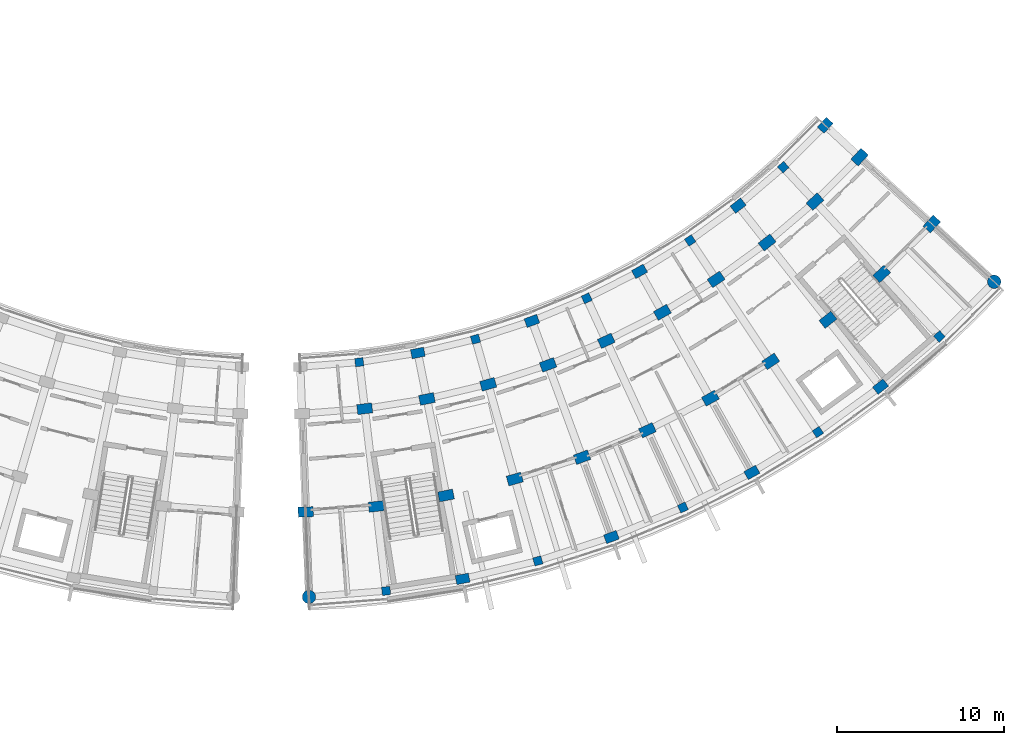
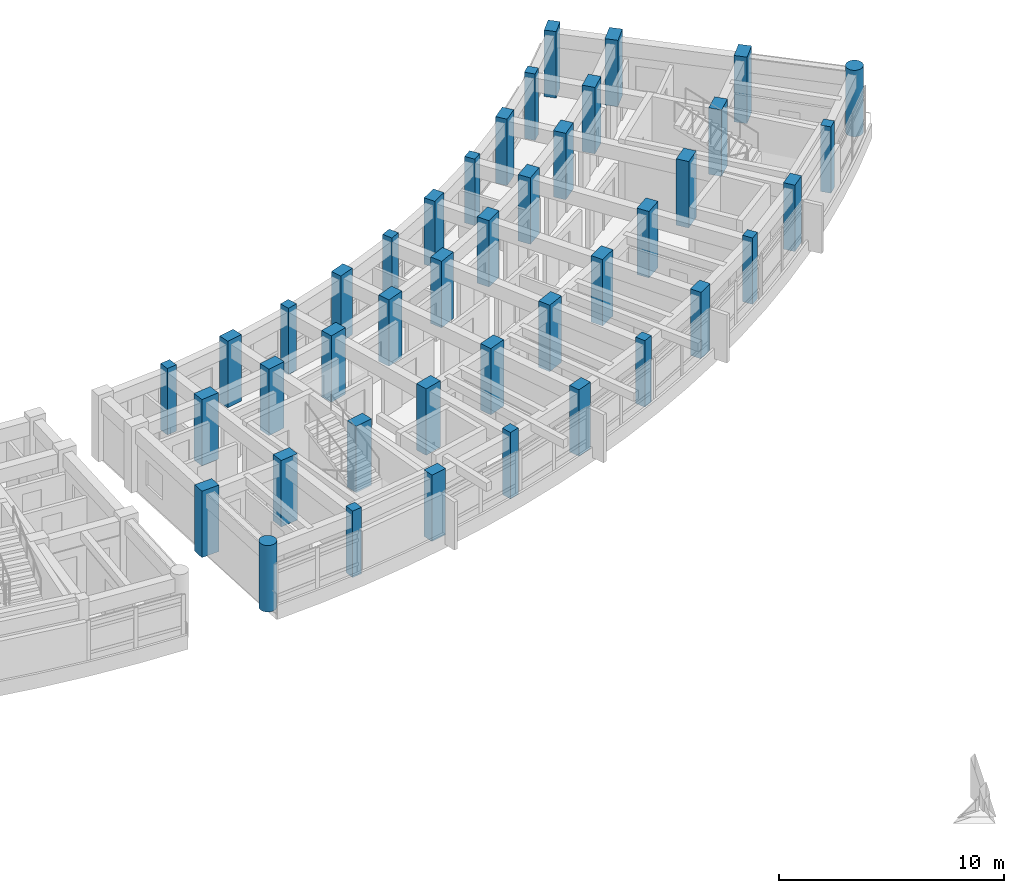
# One storey, part 9 of 83: 42 columns.
"""IFC4 building model written with IfcOpenShell, lengths in metres."""

import ifcopenshell
import ifcopenshell.guid

model = None  # the IFC model being written
_history = None  # IfcOwnerHistory: only IFC2X3 demands one
_inside = {}  # id of a spatial element -> (the spatial element, [elements in it])
_under = {}  # id of a project, library or spatial element -> (it, [spatial elements below it])
_declared = {}  # id of a project -> (the project, [libraries it declares])
_typed = {}  # id of a type object -> (the type object, [elements of that type])
_made_of = {}  # id of a material, layer set ... -> (it, [elements and type objects made of it])


def new_model(schema):
    """Start an empty IFC model of exactly this schema.

    Asked for "IFC4X3", IfcOpenShell would pick the latest addendum, in which some entities
    have other attributes; the version numbers below select the first issue.
    IFC2X3 requires an IfcOwnerHistory on every rooted entity: one is made here for all.
    """
    global model, _history
    if schema == "IFC4X3":
        model = ifcopenshell.file(schema_version=(4, 3, 0, 0))
    else:
        model = ifcopenshell.file(schema=schema)
    _inside.clear()
    _under.clear()
    _declared.clear()
    _typed.clear()
    _made_of.clear()
    _history = None
    if model.schema == "IFC2X3":
        org = make("IfcOrganization", Name="unknown")
        user = make(
            "IfcPersonAndOrganization",
            ThePerson=make("IfcPerson", FamilyName="unknown"),
            TheOrganization=org,
        )
        app = make(
            "IfcApplication",
            ApplicationDeveloper=org,
            Version="unknown",
            ApplicationFullName="unknown",
            ApplicationIdentifier="unknown",
        )
        _history = make(
            "IfcOwnerHistory",
            OwningUser=user,
            OwningApplication=app,
            ChangeAction="ADDED",
            CreationDate=0,
        )
    return model


def make(cls, **values):
    """One entity of the class cls with the attributes given. An attribute that is None is left unset."""
    return model.create_entity(
        cls, **{name: value for name, value in values.items() if value is not None}
    )


def rooted(cls, **values):
    """An entity with a GlobalId (a new one), such as an element, a storey or a relation."""
    return make(cls, GlobalId=ifcopenshell.guid.new(), OwnerHistory=_history, **values)


def si_unit(unit_type, name, prefix=None):
    """IfcSIUnit, for example si_unit("LENGTHUNIT", "METRE", prefix="MILLI")."""
    return make("IfcSIUnit", UnitType=unit_type, Prefix=prefix, Name=name)


def assignment(units):
    """IfcUnitAssignment: the units of a project."""
    return None if units is None else make("IfcUnitAssignment", Units=units)


def point(xyz):
    """IfcCartesianPoint."""
    return None if xyz is None else make("IfcCartesianPoint", Coordinates=xyz)


def direction(xyz):
    """IfcDirection."""
    return None if xyz is None else make("IfcDirection", DirectionRatios=xyz)


def frame(location, z_axis=None, x_axis=None):
    """IfcAxis2Placement3D, a coordinate frame: its origin and axes. An axis left out is left unset."""
    return make(
        "IfcAxis2Placement3D",
        Location=point(location),
        Axis=direction(z_axis),
        RefDirection=direction(x_axis),
    )


def frame_2d(location, x_axis=None):
    """IfcAxis2Placement2D, a coordinate frame in the plane: its origin and x axis."""
    return make(
        "IfcAxis2Placement2D", Location=point(location), RefDirection=direction(x_axis)
    )


def origin():
    """The frame at (0, 0, 0) with its axes left unset."""
    return frame((0.0, 0.0, 0.0))


def origin_2d():
    """The frame at (0, 0) in the plane with its x axis left unset."""
    return frame_2d((0.0, 0.0))


def place(relative_to, where):
    """IfcLocalPlacement: puts the frame where relative to a parent placement (None: the world)."""
    return make(
        "IfcLocalPlacement", PlacementRelTo=relative_to, RelativePlacement=where
    )


def context(
    kind, dimensions, precision=None, world=None, true_north=None, identifier=None
):
    """IfcGeometricRepresentationContext, for example the 3D "Model" context."""
    return make(
        "IfcGeometricRepresentationContext",
        ContextIdentifier=identifier,
        ContextType=kind,
        CoordinateSpaceDimension=dimensions,
        Precision=precision,
        WorldCoordinateSystem=world,
        TrueNorth=true_north,
    )


def subcontext(parent, identifier, kind, view, scale=None):
    """IfcGeometricRepresentationSubContext, for example "Body" below "Model"."""
    return make(
        "IfcGeometricRepresentationSubContext",
        ContextIdentifier=identifier,
        ContextType=kind,
        ParentContext=parent,
        TargetScale=scale,
        TargetView=view,
    )


def project(units=None, contexts=None):
    """IfcProject with its units and contexts."""
    return rooted(
        "IfcProject",
        Name="project",
        RepresentationContexts=contexts,
        UnitsInContext=assignment(units),
    )


def spatial(cls, under=None, at=None, **own):
    """A site, building, storey or space (cls), placed at a placement, below another one or the project."""
    s = rooted(cls, ObjectPlacement=at, **own)
    if under is not None:
        _under.setdefault(under.id(), (under, []))[1].append(s)
    return s


def profile(cls, at=None, kind="AREA", **sizes):
    """A parametric profile (cls). Its sizes go by their IFC names, for example OverallWidth=200.0."""
    return make(cls, ProfileType=kind, Position=at, **sizes)


def rectangle(**sizes):
    """IfcRectangleProfileDef."""
    return profile("IfcRectangleProfileDef", **sizes)


def circle(**sizes):
    """IfcCircleProfileDef."""
    return profile("IfcCircleProfileDef", **sizes)


def extrude(swept, where, along, depth):
    """IfcExtrudedAreaSolid: the profile swept, set in the frame where, extruded along a direction by depth."""
    return make(
        "IfcExtrudedAreaSolid",
        SweptArea=swept,
        Position=where,
        ExtrudedDirection=direction(along),
        Depth=depth,
    )


def shape(context_of_items, identifier, shape_type, items):
    """IfcShapeRepresentation: the items that make up one representation, for example the "Body"."""
    return make(
        "IfcShapeRepresentation",
        ContextOfItems=context_of_items,
        RepresentationIdentifier=identifier,
        RepresentationType=shape_type,
        Items=items,
    )


def material(Name=None, Category=None):
    """IfcMaterial."""
    return make("IfcMaterial", Name=Name, Category=Category)


def material_profile(
    of_material, cross_section, Name=None, Category=None, Priority=None
):
    """IfcMaterialProfile: a cross section and its material."""
    return make(
        "IfcMaterialProfile",
        Name=Name,
        Material=of_material,
        Profile=cross_section,
        Priority=Priority,
        Category=Category,
    )


def profile_set(profiles, Name=None, composite=None):
    """IfcMaterialProfileSet."""
    return make(
        "IfcMaterialProfileSet",
        Name=Name,
        MaterialProfiles=profiles,
        CompositeProfile=composite,
    )


def made_of(thing, what):
    """Note that an element or type object is made of a material, layer set ...; save() writes the relation."""
    if what is not None:
        _made_of.setdefault(what.id(), (what, []))[1].append(thing)
    return thing


def type_object(cls, material=None, **own):
    """A type object (cls), such as IfcWallType, which elements share."""
    return made_of(rooted(cls, **own), material)


def element(
    cls,
    number,
    at=None,
    inside=None,
    cuts=None,
    type_object=None,
    material=None,
    context=None,
    identifier="Body",
    shape_type=None,
    held_by="IfcProductDefinitionShape",
    body=None,
    shapes=None,
    **own,
):
    """One element of the class cls, such as IfcWall. Its Tag is "e" and its number.

    at: its placement. inside: the storey or other place that contains it. cuts: it is an
    opening in that element (IfcRelVoidsElement). A single representation is given by context,
    identifier, shape_type and body (its items); several are given by shapes. held_by: the class
    of the entity that holds the representations. save() writes the other relations.
    """
    e = rooted(cls, Tag="e%d" % number, ObjectPlacement=at, **own)
    if body is not None:
        shapes = [shape(context, identifier, shape_type, body)]
    if shapes is not None:
        e.Representation = make(held_by, Representations=shapes)
    if inside is not None:
        _inside.setdefault(inside.id(), (inside, []))[1].append(e)
    if cuts is not None:
        rooted(
            "IfcRelVoidsElement", RelatingBuildingElement=cuts, RelatedOpeningElement=e
        )
    if type_object is not None:
        _typed.setdefault(type_object.id(), (type_object, []))[1].append(e)
    return made_of(e, material)


def aggregate(whole, parts):
    """IfcRelAggregates: a whole, such as a stair, and the parts it consists of."""
    return rooted("IfcRelAggregates", RelatingObject=whole, RelatedObjects=parts)


def save(model, path):
    """Write the relations noted so far, then the file.

    IfcRelAggregates (storeys below a building ...), IfcRelContainedInSpatialStructure (elements
    in a storey), IfcRelDefinesByType, IfcRelAssociatesMaterial and IfcRelDeclares: one each for
    every whole, place, type object, material and project.
    """
    for whole, parts in _under.values():
        aggregate(whole, parts)
    for where, things in _inside.values():
        rooted(
            "IfcRelContainedInSpatialStructure",
            RelatedElements=things,
            RelatingStructure=where,
        )
    for kind, things in _typed.values():
        rooted("IfcRelDefinesByType", RelatedObjects=things, RelatingType=kind)
    for what, things in _made_of.values():
        rooted("IfcRelAssociatesMaterial", RelatedObjects=things, RelatingMaterial=what)
    for by, libraries in _declared.values():
        rooted("IfcRelDeclares", RelatingContext=by, RelatedDefinitions=libraries)
    model.write(path)


model = new_model("IFC4")

# Units and contexts
model_context = context("Model", 3, precision=1e-05, world=origin(), true_north=direction((0.0, 1.0)))
body_context = subcontext(model_context, "Body", "Model", "MODEL_VIEW")
ifc_project = project(units=[si_unit("LENGTHUNIT", "METRE"), si_unit("AREAUNIT", "SQUARE_METRE"), si_unit("VOLUMEUNIT", "CUBIC_METRE"), si_unit("PLANEANGLEUNIT", "RADIAN"), si_unit("MASSUNIT", "GRAM", prefix="KILO")], contexts=[model_context])

# Site, building, storey
site_placement = place(None, origin())
site = spatial("IfcSite", under=ifc_project, at=site_placement, CompositionType="ELEMENT")
building_placement = place(site_placement, origin())
building = spatial("IfcBuilding", under=site, at=building_placement, Name="Zimvara Arc Housing Community", CompositionType="ELEMENT")
storey_placement = place(building_placement, frame((0.0, 0.0, 4.5)))
storey = spatial("IfcBuildingStorey", under=building, at=storey_placement, Name="L01", CompositionType="ELEMENT", Elevation=4.5)

# Columns
ifc_material_1 = material(Name="Concrete C40/50", Category="concrete")
ifc_material_profile_1 = material_profile(ifc_material_1, rectangle(XDim=0.5, YDim=0.5, at=origin_2d()), Name="RC 500x500")
ifc_profile_set_1 = profile_set([ifc_material_profile_1], Name="Concrete C40/50")
column_type_1 = type_object("IfcColumnType", Name="COL-RC-500x500", PredefinedType="COLUMN", material=ifc_profile_set_1)
for number, where, z_axis, x_axis, name in (
    (1, (131.244140625, 65.048095703125, 0.0), (0.0, 0.0, 1.0), (0.116670737099, -0.993170649538, 0.0), "col:blkD:L01:b1:r0"),
    (2, (132.849609375, 51.382080078125, 0.0), (0.0, 0.0, 1.0), (0.116670737099, -0.993170649538, 0.0), "col:blkD:L01:b1:r3"),
    (3, (138.189453125, 66.42333984375, 0.0), (0.0, 0.0, 1.0), (0.270600445976, -0.962691746426, 0.0), "col:blkD:L01:b3:r0"),
    (4, (141.912841796875, 53.1767578125, 0.0), (0.0, 0.0, 1.0), (0.270600445976, -0.962691746426, 0.0), "col:blkD:L01:b3:r3"),
    (5, (144.834228515625, 68.8681640625, 0.0), (0.0, 0.0, 1.0), (0.417867073801, -0.908508177527, 0.0), "col:blkD:L01:b5:r0"),
    (6, (150.583984375, 56.366943359375, 0.0), (0.0, 0.0, 1.0), (0.417867073801, -0.908508177527, 0.0), "col:blkD:L01:b5:r3"),
    (7, (151.0146484375, 72.322265625, 0.0), (0.0, 0.0, 1.0), (0.554844427448, -0.83195412213, 0.0), "col:blkD:L01:b7:r0"),
    (8, (158.649169921875, 60.87451171875, 0.0), (0.0, 0.0, 1.0), (0.554844427448, -0.83195412213, 0.0), "col:blkD:L01:b7:r3"),
    (9, (156.57861328125, 76.70068359375, 0.0), (0.0, 0.0, 1.0), (0.678159669868, -0.73491459515, 0.0), "col:blkD:L01:b9:r0"),
    (10, (165.91015625, 66.588134765625, 0.0), (0.0, 0.0, 1.0), (0.678159669868, -0.73491459515, 0.0), "col:blkD:L01:b9:r3"),
):
    element("IfcColumn", number, at=place(storey_placement, frame(where, z_axis=z_axis, x_axis=x_axis)), inside=storey, type_object=column_type_1, Name=name, PredefinedType="COLUMN", context=body_context, shape_type="SweptSolid", body=[
        extrude(rectangle(XDim=0.5, YDim=0.5, at=origin_2d()), origin(), (0.0, 0.0, 1.0), 3.60009765625),
    ])
ifc_material_2 = material(Name="Concrete C40/50", Category="concrete")
ifc_material_profile_2 = material_profile(ifc_material_2, rectangle(XDim=0.550048828125, YDim=0.800048828125, at=origin_2d()), Name="RC 550x800")
ifc_profile_set_2 = profile_set([ifc_material_profile_2], Name="Concrete C40/50")
column_type_2 = type_object("IfcColumnType", Name="COL-RC-550x800", PredefinedType="COLUMN", material=ifc_profile_set_2)
for number, where, z_axis, x_axis, name in (
    (11, (134.743896484375, 65.599365234375, 0.0), (0.0, 0.0, 1.0), (0.19423435122, -0.980955155349, 0.0), "col:blkD:L01:b2:r0"),
    (12, (137.41650390625, 52.101318359375, 0.0), (0.0, 0.0, 1.0), (0.19423435122, -0.980955155349, 0.0), "col:blkD:L01:b2:r3"),
    (13, (141.559814453125, 67.51513671875, 0.0), (0.0, 0.0, 1.0), (0.345298198999, -0.93849302276, 0.0), "col:blkD:L01:b4:r0"),
    (14, (146.311279296875, 54.6015625, 0.0), (0.0, 0.0, 1.0), (0.345298198999, -0.93849302276, 0.0), "col:blkD:L01:b4:r3"),
    (15, (147.9921875, 70.473876953125, 0.0), (0.0, 0.0, 1.0), (0.487859659139, -0.87292207727, 0.0), "col:blkD:L01:b6:r0"),
    (16, (154.705078125, 58.46240234375, 0.0), (0.0, 0.0, 1.0), (0.487859659139, -0.87292207727, 0.0), "col:blkD:L01:b6:r3"),
    (17, (153.882568359375, 74.402099609375, 0.0), (0.0, 0.0, 1.0), (0.618408395358, -0.785856893175, 0.0), "col:blkD:L01:b8:r0"),
    (18, (162.391845703125, 63.5888671875, 0.0), (0.0, 0.0, 1.0), (0.618408395358, -0.785856893175, 0.0), "col:blkD:L01:b8:r3"),
    (19, (159.0859375, 79.20361328125, 0.0), (0.0, 0.0, 1.0), (0.733729864503, -0.679441304262, 0.0), "col:blkD:L01:b10:r0"),
):
    element("IfcColumn", number, at=place(storey_placement, frame(where, z_axis=z_axis, x_axis=x_axis)), inside=storey, type_object=column_type_2, Name=name, PredefinedType="COLUMN", context=body_context, shape_type="SweptSolid", body=[
        extrude(rectangle(XDim=0.550048828125, YDim=0.800048828125, at=origin_2d()), origin(), (0.0, 0.0, 1.0), 3.60009765625),
    ])
ifc_material_3 = material(Name="Concrete C40/50", Category="concrete")
ifc_material_profile_3 = material_profile(ifc_material_3, rectangle(XDim=0.60009765625, YDim=0.89990234375, at=origin_2d()), Name="RC 600x900")
ifc_profile_set_3 = profile_set([ifc_material_profile_3], Name="Concrete C40/50")
column_type_3 = type_object("IfcColumnType", Name="COL-RC-600x900", PredefinedType="COLUMN", material=ifc_profile_set_3)
for number, where, z_axis, x_axis, name in (
    (20, (128.045166015625, 56.099609375, 0.0), (0.0, 0.0, 1.0), (0.038387809088, -0.999262916411, 0.0), "col:blkD:L01:b0:r2"),
    (21, (131.57080078125, 62.267333984375, 0.0), (0.0, 0.0, 1.0), (0.116670737099, -0.993170649538, 0.0), "col:blkD:L01:b1:r1"),
    (22, (132.2568359375, 56.427490234375, 0.0), (0.0, 0.0, 1.0), (0.116670737099, -0.993170649538, 0.0), "col:blkD:L01:b1:r2"),
    (23, (135.28759765625, 62.8525390625, 0.0), (0.0, 0.0, 1.0), (0.19423435122, -0.980955155349, 0.0), "col:blkD:L01:b2:r1"),
    (24, (136.4296875, 57.084716796875, 0.0), (0.0, 0.0, 1.0), (0.19423435122, -0.980955155349, 0.0), "col:blkD:L01:b2:r2"),
    (25, (138.947265625, 63.727783203125, 0.0), (0.0, 0.0, 1.0), (0.270600445976, -0.962691746426, 0.0), "col:blkD:L01:b3:r1"),
    (26, (140.538330078125, 58.067138671875, 0.0), (0.0, 0.0, 1.0), (0.270600445976, -0.962691746426, 0.0), "col:blkD:L01:b3:r2"),
    (27, (142.526611328125, 64.887451171875, 0.0), (0.0, 0.0, 1.0), (0.345298198999, -0.93849302276, 0.0), "col:blkD:L01:b4:r1"),
    (28, (144.55712890625, 59.369140625, 0.0), (0.0, 0.0, 1.0), (0.345298198999, -0.93849302276, 0.0), "col:blkD:L01:b4:r2"),
    (29, (146.004150390625, 66.32421875, 0.0), (0.0, 0.0, 1.0), (0.417867073801, -0.908508177527, 0.0), "col:blkD:L01:b5:r1"),
    (30, (148.461181640625, 60.982177734375, 0.0), (0.0, 0.0, 1.0), (0.417867073801, -0.908508177527, 0.0), "col:blkD:L01:b5:r2"),
    (31, (149.358154296875, 68.029541015625, 0.0), (0.0, 0.0, 1.0), (0.487859659139, -0.87292207727, 0.0), "col:blkD:L01:b6:r1"),
    (32, (152.226806640625, 62.896728515625, 0.0), (0.0, 0.0, 1.0), (0.487859659139, -0.87292207727, 0.0), "col:blkD:L01:b6:r2"),
    (33, (152.568115234375, 69.99267578125, 0.0), (0.0, 0.0, 1.0), (0.554844427448, -0.83195412213, 0.0), "col:blkD:L01:b7:r1"),
    (34, (155.83056640625, 65.100830078125, 0.0), (0.0, 0.0, 1.0), (0.554844427448, -0.83195412213, 0.0), "col:blkD:L01:b7:r2"),
    (35, (155.614013671875, 72.20166015625, 0.0), (0.0, 0.0, 1.0), (0.618408395358, -0.785856893175, 0.0), "col:blkD:L01:b8:r1"),
    (36, (159.25048828125, 67.580810546875, 0.0), (0.0, 0.0, 1.0), (0.618408395358, -0.785856893175, 0.0), "col:blkD:L01:b8:r2"),
    (37, (158.477294921875, 74.642822265625, 0.0), (0.0, 0.0, 1.0), (0.678159669868, -0.73491459515, 0.0), "col:blkD:L01:b9:r1"),
    (38, (162.465087890625, 70.321533203125, 0.0), (0.0, 0.0, 1.0), (0.678159669868, -0.73491459515, 0.0), "col:blkD:L01:b9:r2"),
    (39, (161.140380859375, 77.30126953125, 0.0), (0.0, 0.0, 1.0), (0.733729864503, -0.679441304262, 0.0), "col:blkD:L01:b10:r1"),
    (40, (165.45458984375, 73.30615234375, 0.0), (0.0, 0.0, 1.0), (0.733729864503, -0.679441304262, 0.0), "col:blkD:L01:b10:r2"),
):
    element("IfcColumn", number, at=place(storey_placement, frame(where, z_axis=z_axis, x_axis=x_axis)), inside=storey, type_object=column_type_3, Name=name, PredefinedType="COLUMN", context=body_context, shape_type="SweptSolid", body=[
        extrude(rectangle(XDim=0.60009765625, YDim=0.89990234375, at=origin_2d()), origin(), (0.0, 0.0, 1.0), 3.60009765625),
    ])
ifc_material_4 = material(Name="Concrete C40/50", Category="concrete")
ifc_material_profile_4 = material_profile(ifc_material_4, circle(Radius=0.39990234375, at=origin_2d()), Name="RC D800")
ifc_profile_set_4 = profile_set([ifc_material_profile_4], Name="Concrete C40/50")
column_type_4 = type_object("IfcColumnType", Name="COL-RC-D700", PredefinedType="COLUMN", material=ifc_profile_set_4)
for number, where, z_axis, x_axis, name in (
    (41, (128.240234375, 51.0234375, 0.0), (0.0, 0.0, 1.0), (0.038387809088, -0.999262916411, 0.0), "col:blkD:L01:b0:r3"),
    (42, (169.18212890625, 69.8544921875, 0.0), (0.0, 0.0, 1.0), (0.733729864503, -0.679441304262, 0.0), "col:blkD:L01:b10:r3"),
):
    element("IfcColumn", number, at=place(storey_placement, frame(where, z_axis=z_axis, x_axis=x_axis)), inside=storey, type_object=column_type_4, Name=name, PredefinedType="COLUMN", context=body_context, shape_type="SweptSolid", body=[
        extrude(circle(Radius=0.39990234375, at=origin_2d()), origin(), (0.0, 0.0, 1.0), 3.60009765625),
    ])

save(model, "model.ifc")
